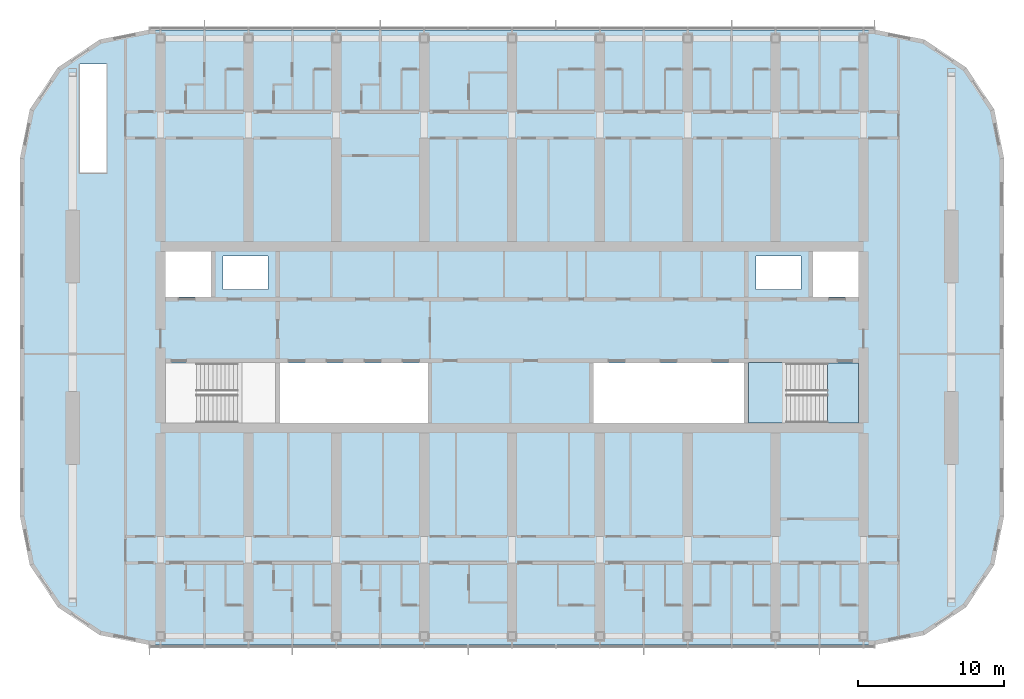
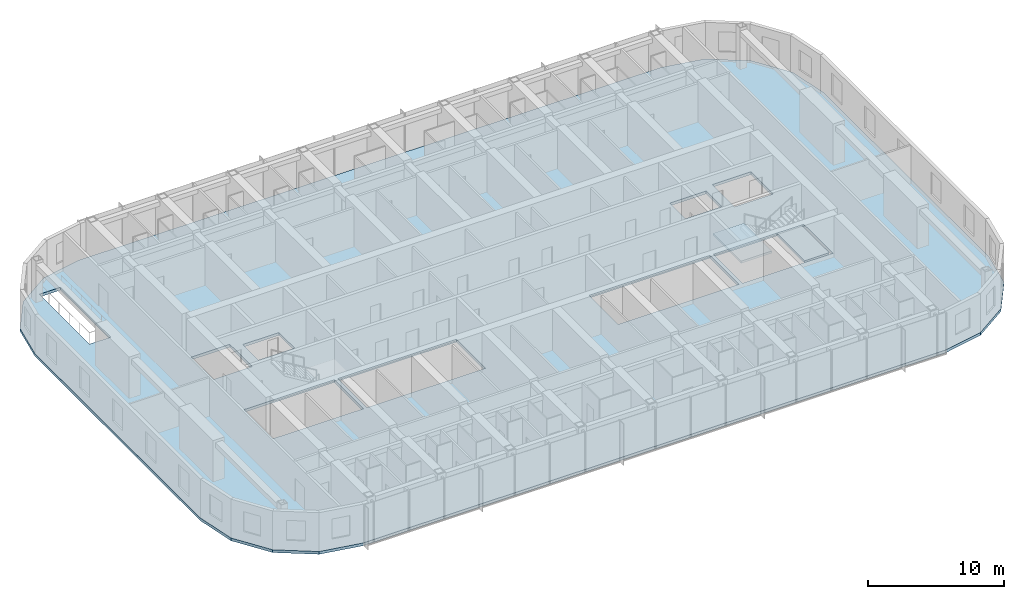
# One storey, part 8 of 24: 3 slabs, 1 element without a shape of its own.
"""IFC4 building model written with IfcOpenShell, lengths in metres."""

from ifc_helpers import new_model, si_unit, direction, frame, origin, place, context, subcontext, project, spatial, polyline, outline, extrude, material, layer, layer_set, type_object, element, aggregate, save


model = new_model("IFC4")

# Units and contexts
model_context = context("Model", 3, precision=1e-05, world=origin(), true_north=direction((0.0, 1.0)))
body_context = subcontext(model_context, "Body", "Model", "MODEL_VIEW")
ifc_project = project(units=[si_unit("LENGTHUNIT", "METRE"), si_unit("AREAUNIT", "SQUARE_METRE"), si_unit("VOLUMEUNIT", "CUBIC_METRE"), si_unit("PLANEANGLEUNIT", "RADIAN"), si_unit("MASSUNIT", "GRAM", prefix="KILO")], contexts=[model_context])

# Site, building, storey
site_placement = place(None, origin())
site = spatial("IfcSite", under=ifc_project, at=site_placement, CompositionType="ELEMENT")
building_placement = place(site_placement, origin())
building = spatial("IfcBuilding", under=site, at=building_placement, Name="Orbita Commons", CompositionType="ELEMENT")
storey_placement = place(building_placement, frame((0.0, 0.0, 235.300048828125)))
storey = spatial("IfcBuildingStorey", under=building, at=storey_placement, Name="L58", CompositionType="ELEMENT", Elevation=235.300048828125)

# Slab
ifc_material_1 = material(Name="Concrete C40/50", Category="concrete")
ifc_layer_1 = layer(ifc_material_1, 0.25)
ifc_layer_set_1 = layer_set([ifc_layer_1], Name="Concrete C40/50")
slab_type_1 = type_object("IfcSlabType", Name="Floor slab 250", PredefinedType="FLOOR", material=ifc_layer_set_1)
slab_1_placement = place(storey_placement, frame((0.0, 0.0, -0.25)))
element("IfcSlab", 1, at=slab_1_placement, inside=storey, type_object=slab_type_1, Name="Floor slab L58", PredefinedType="FLOOR", context=body_context, shape_type="SweptSolid", body=[
    extrude(outline(polyline([(66.800048828125, 11.0), (70.167724609375, 11.669921875), (73.0224609375, 13.577392578125), (74.93017578125, 16.432373046875), (75.60009765625, 19.800048828125), (75.60009765625, 44.199951171875), (74.93017578125, 47.567626953125), (73.0224609375, 50.422607421875), (70.167724609375, 52.330078125), (66.800048828125, 53.0), (17.199951171875, 53.0), (13.832275390625, 52.330078125), (10.9775390625, 50.422607421875), (9.06982421875, 47.567626953125), (8.39990234375, 44.199951171875), (8.39990234375, 19.800048828125), (9.06982421875, 16.432373046875), (10.9775390625, 13.577392578125), (13.832275390625, 11.669921875), (17.199951171875, 11.0), (66.800048828125, 11.0)]), holes=[polyline([(18.14990234375, 25.949951171875), (25.85009765625, 25.949951171875), (25.85009765625, 30.25), (18.14990234375, 30.25), (18.14990234375, 25.949951171875)]), polyline([(58.14990234375, 25.949951171875), (65.85009765625, 25.949951171875), (65.85009765625, 30.25), (58.14990234375, 30.25), (58.14990234375, 25.949951171875)]), polyline([(18.14990234375, 34.75), (21.449951171875, 34.75), (21.449951171875, 38.050048828125), (18.14990234375, 38.050048828125), (18.14990234375, 34.75)]), polyline([(62.550048828125, 34.75), (65.85009765625, 34.75), (65.85009765625, 38.050048828125), (62.550048828125, 38.050048828125), (62.550048828125, 34.75)]), polyline([(22.25, 35.25), (25.35009765625, 35.25), (25.35009765625, 37.550048828125), (22.25, 37.550048828125), (22.25, 35.25)]), polyline([(58.64990234375, 35.25), (61.75, 35.25), (61.75, 37.550048828125), (58.64990234375, 37.550048828125), (58.64990234375, 35.25)]), polyline([(26.14990234375, 25.949951171875), (36.25, 25.949951171875), (36.25, 30.25), (26.14990234375, 30.25), (26.14990234375, 25.949951171875)]), polyline([(47.550048828125, 25.949951171875), (57.85009765625, 25.949951171875), (57.85009765625, 30.25), (47.550048828125, 30.25), (47.550048828125, 25.949951171875)]), polyline([(12.5, 43.25), (14.300048828125, 43.25), (14.300048828125, 50.64990234375), (12.5, 50.64990234375), (12.5, 43.25)])]), origin(), (0.0, 0.0, 1.0), 0.25),
])

# Stair, slabs
ifc_material_2 = material(Name="Precast concrete C40/50", Category="concrete")
stair_type = type_object("IfcStairType", Name="Exit stair S2 2 flights 11 risers 170", PredefinedType="HALF_TURN_STAIR", material=ifc_material_2)
stair_placement = place(storey_placement, origin())
stair = element("IfcStair", 2, at=stair_placement, inside=storey, type_object=stair_type, Name="Exit stair S2 L58", PredefinedType="HALF_TURN_STAIR")
ifc_material_3 = material(Name="Concrete C40/50", Category="concrete")
ifc_layer_2 = layer(ifc_material_3, 0.199951171875)
ifc_layer_set_2 = layer_set([ifc_layer_2], Name="Concrete C40/50")
slab_type_2 = type_object("IfcSlabType", Name="Stair landing 200", PredefinedType="LANDING", material=ifc_layer_set_2)
slab_2_placement = place(storey_placement, frame((0.0, 0.0, -0.199951171875)))
slab_2 = element("IfcSlab", 3, at=slab_2_placement, type_object=slab_type_2, Name="S2 landing 1", PredefinedType="LANDING", context=body_context, shape_type="SweptSolid", body=[
    extrude(outline(polyline([(63.550048828125, 26.14990234375), (65.64990234375, 26.14990234375), (65.64990234375, 30.25), (63.550048828125, 30.25), (63.550048828125, 26.14990234375)])), origin(), (0.0, 0.0, 1.0), 0.199951171875),
])
slab_3_placement = place(storey_placement, frame((0.0, 0.0, 1.675048828125)))
slab_3 = element("IfcSlab", 4, at=slab_3_placement, type_object=slab_type_2, Name="S2 landing 2", PredefinedType="LANDING", context=body_context, shape_type="SweptSolid", body=[
    extrude(outline(polyline([(58.135009765625, 26.135009765625), (60.75, 26.135009765625), (60.75, 30.264892578125), (58.135009765625, 30.264892578125), (58.135009765625, 26.135009765625)])), origin(), (0.0, 0.0, 1.0), 0.199951171875),
])
aggregate(stair, [slab_2, slab_3])

save(model, "model.ifc")
